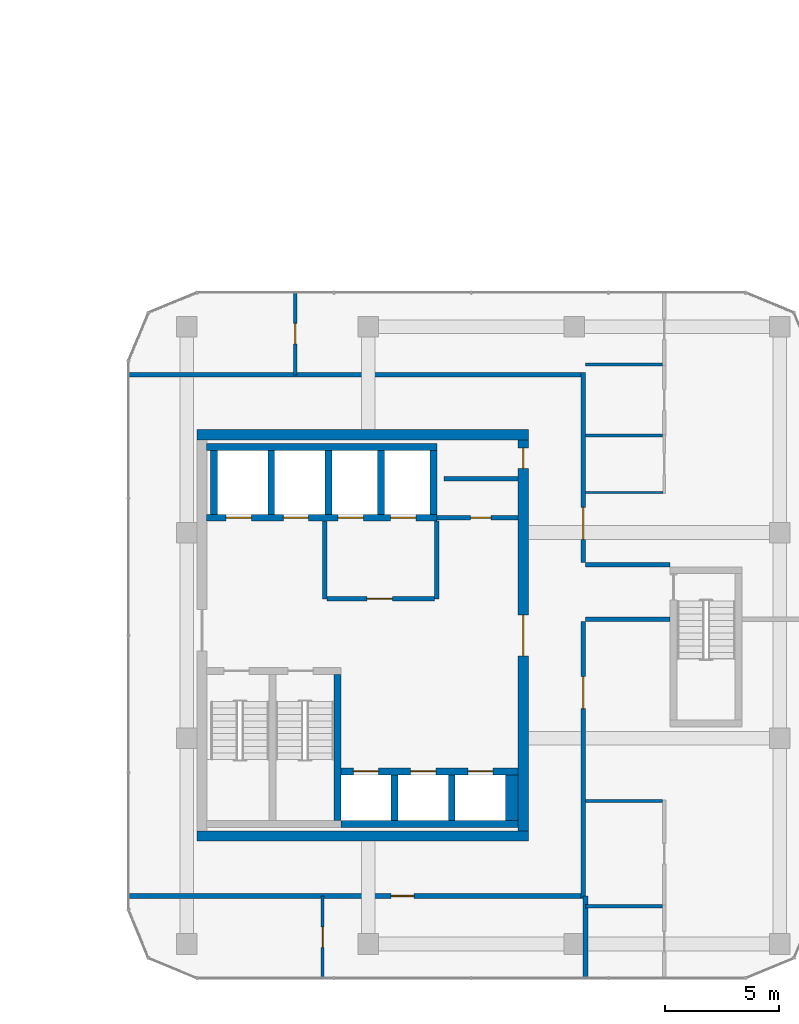
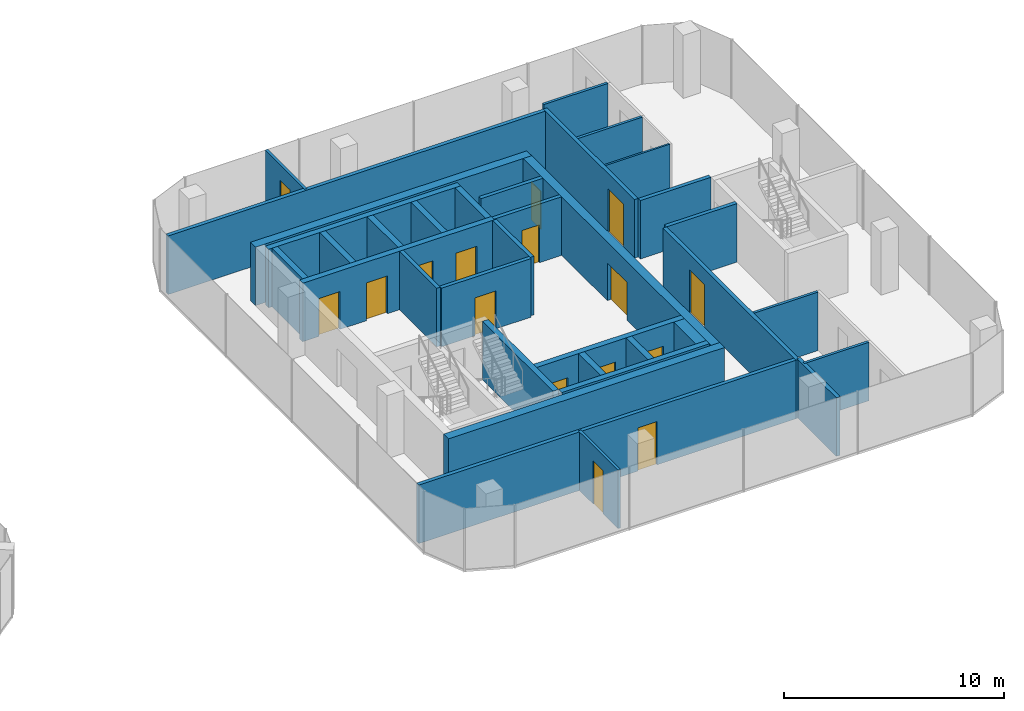
# One storey, part 18 of 23: 35 walls, 16 doors, 16 openings.
"""IFC4 building model written with IfcOpenShell, lengths in metres."""

from ifc_helpers import new_model, si_unit, direction, frame, frame_2d, origin, place, context, subcontext, project, spatial, rectangle, extrude, material, layer, layer_set, type_object, element, fill, save


model = new_model("IFC4")

# Units and contexts
model_context = context("Model", 3, precision=1e-05, world=origin(), true_north=direction((0.0, 1.0)))
body_context = subcontext(model_context, "Body", "Model", "MODEL_VIEW")
ifc_project = project(units=[si_unit("LENGTHUNIT", "METRE"), si_unit("AREAUNIT", "SQUARE_METRE"), si_unit("VOLUMEUNIT", "CUBIC_METRE"), si_unit("PLANEANGLEUNIT", "RADIAN"), si_unit("MASSUNIT", "GRAM", prefix="KILO")], contexts=[model_context])

# Site, building, storey
site_placement = place(None, origin())
site = spatial("IfcSite", under=ifc_project, at=site_placement, CompositionType="ELEMENT")
building_placement = place(site_placement, origin())
building = spatial("IfcBuilding", under=site, at=building_placement, Name="Plateau Cross Towers", CompositionType="ELEMENT")
storey_placement = place(building_placement, frame((0.0, 0.0, 88.800048828125)))
storey = spatial("IfcBuildingStorey", under=building, at=storey_placement, Name="L22", CompositionType="ELEMENT", Elevation=88.800048828125)

# Wall
ifc_material_1 = material(Name="Concrete block, plastered both sides", Category="concrete")
ifc_layer_1 = layer(ifc_material_1, 0.199951171875)
ifc_layer_set_1 = layer_set([ifc_layer_1], Name="Concrete block, plastered both sides")
wall_type_1 = type_object("IfcWallType", Name="Core partition 200", PredefinedType="PARTITIONING", material=ifc_layer_set_1)
wall_1_placement = place(storey_placement, frame((80.60009765625, 10.60009765625, 0.0), z_axis=(0.0, 0.0, 1.0), x_axis=(0.0, 1.0, 0.0)))
element("IfcWall", 1, at=wall_1_placement, inside=storey, type_object=wall_type_1, Name="Core partition", PredefinedType="PARTITIONING", context=body_context, shape_type="SweptSolid", body=[
    extrude(rectangle(XDim=3.39990234375, YDim=0.199951171875, at=frame_2d((1.699951171875, 0.0))), origin(), (0.0, 0.0, 1.0), 3.25),
])

# Wall, opening, door
wall_2_placement = place(storey_placement, frame((80.699951171875, 10.60009765625, 0.0), z_axis=(0.0, 0.0, 1.0), x_axis=(1.0, 0.0, 0.0)))
wall_2 = element("IfcWall", 2, at=wall_2_placement, inside=storey, type_object=wall_type_1, Name="Core partition", PredefinedType="PARTITIONING", context=body_context, shape_type="SweptSolid", body=[
    extrude(rectangle(XDim=4.699951171875, YDim=0.199951171875, at=frame_2d((2.35009765625, 0.0))), origin(), (0.0, 0.0, 1.0), 3.25),
])
opening_1_placement = place(wall_2_placement, frame((1.75, 0.0, 0.0)))
opening_1 = element("IfcOpeningElement", 3, at=opening_1_placement, cuts=wall_2, Name="Opening FFD", PredefinedType="OPENING", context=body_context, shape_type="SweptSolid", body=[
    extrude(rectangle(XDim=1.10009765625, YDim=2.10009765625, at=frame_2d((0.550048828125, 1.050048828125))), frame((0.0, 0.10986328125, 0.0), z_axis=(0.0, -1.0, 0.0), x_axis=(1.0, 0.0, 0.0)), (0.0, 0.0, 1.0), 0.219970703125),
])
ifc_material_2 = material(Name="Steel, fire-resisting leaf", Category="steel")
door_type_1 = type_object("IfcDoorType", Name="Firefighting lobby door 1100", OperationType="NOTDEFINED", PredefinedType="DOOR", material=ifc_material_2)
door_1_placement = place(opening_1_placement, origin())
door_1 = element("IfcDoor", 4, at=door_1_placement, inside=storey, type_object=door_type_1, Name="Firefighting lobby door FFD", OperationType="SINGLE_SWING_LEFT", OverallHeight=2.10009765625, OverallWidth=1.10009765625, PredefinedType="DOOR", context=body_context, shape_type="SweptSolid", body=[
    extrude(rectangle(XDim=1.10009765625, YDim=2.10009765625, at=frame_2d((0.550048828125, 1.050048828125))), frame((0.0, 0.02490234375, 0.0), z_axis=(0.0, -1.0, 0.0), x_axis=(1.0, 0.0, 0.0)), (0.0, 0.0, 1.0), 0.050048828125),
])
fill(opening_1, door_1)

# Wall
wall_3_placement = place(storey_placement, frame((85.5, 10.60009765625, 0.0), z_axis=(0.0, 0.0, 1.0), x_axis=(0.0, 1.0, 0.0)))
element("IfcWall", 5, at=wall_3_placement, inside=storey, type_object=wall_type_1, Name="Core partition", PredefinedType="PARTITIONING", context=body_context, shape_type="SweptSolid", body=[
    extrude(rectangle(XDim=3.39990234375, YDim=0.199951171875, at=frame_2d((1.699951171875, 0.0))), origin(), (0.0, 0.0, 1.0), 3.25),
])

# Wall, opening, door
wall_4_placement = place(storey_placement, frame((85.5, 14.14990234375, 0.0), z_axis=(0.0, 0.0, 1.0), x_axis=(1.0, 0.0, 0.0)))
wall_4 = element("IfcWall", 6, at=wall_4_placement, inside=storey, type_object=wall_type_1, Name="Core partition", PredefinedType="PARTITIONING", context=body_context, shape_type="SweptSolid", body=[
    extrude(rectangle(XDim=3.550048828125, YDim=0.199951171875, at=frame_2d((1.77490234375, 0.0))), origin(), (0.0, 0.0, 1.0), 3.25),
])
opening_2_placement = place(wall_4_placement, frame((1.47509765625, 0.0, 0.0)))
opening_2 = element("IfcOpeningElement", 7, at=opening_2_placement, cuts=wall_4, Name="Opening RD2", PredefinedType="OPENING", context=body_context, shape_type="SweptSolid", body=[
    extrude(rectangle(XDim=0.89990234375, YDim=2.10009765625, at=frame_2d((0.449951171875, 1.050048828125))), frame((0.0, 0.10986328125, 0.0), z_axis=(0.0, -1.0, 0.0), x_axis=(1.0, 0.0, 0.0)), (0.0, 0.0, 1.0), 0.219970703125),
])
door_type_2 = type_object("IfcDoorType", Name="Core riser door 900", OperationType="NOTDEFINED", PredefinedType="DOOR", material=ifc_material_2)
door_2_placement = place(opening_2_placement, origin())
door_2 = element("IfcDoor", 8, at=door_2_placement, inside=storey, type_object=door_type_2, Name="Core riser door RD2", OperationType="SINGLE_SWING_LEFT", OverallHeight=2.10009765625, OverallWidth=0.89990234375, PredefinedType="DOOR", context=body_context, shape_type="SweptSolid", body=[
    extrude(rectangle(XDim=0.89990234375, YDim=2.10009765625, at=frame_2d((0.449951171875, 1.050048828125))), frame((0.0, 0.02490234375, 0.0), z_axis=(0.0, -1.0, 0.0), x_axis=(1.0, 0.0, 0.0)), (0.0, 0.0, 1.0), 0.050048828125),
])
fill(opening_2, door_2)

# Walls
wall_5_placement = place(storey_placement, frame((85.800048828125, 15.85009765625, 0.0), z_axis=(0.0, 0.0, 1.0), x_axis=(1.0, 0.0, 0.0)))
element("IfcWall", 9, at=wall_5_placement, inside=storey, type_object=wall_type_1, Name="Core partition", PredefinedType="PARTITIONING", context=body_context, shape_type="SweptSolid", body=[
    extrude(rectangle(XDim=3.25, YDim=0.199951171875, at=frame_2d((1.625, 0.0))), origin(), (0.0, 0.0, 1.0), 3.25),
])
ifc_material_3 = material(Name="Concrete C60/75", Category="concrete")
ifc_layer_2 = layer(ifc_material_3, 0.300048828125)
ifc_layer_set_2 = layer_set([ifc_layer_2], Name="Concrete C60/75")
wall_type_2 = type_object("IfcWallType", Name="Core shaft wall 300", PredefinedType="SHEAR", material=ifc_layer_set_2)
wall_6_placement = place(storey_placement, frame((81.14990234375, 0.89990234375, 0.0), z_axis=(0.0, 0.0, 1.0), x_axis=(0.0, 1.0, 0.0)))
element("IfcWall", 10, at=wall_6_placement, inside=storey, type_object=wall_type_2, Name="B-sb-st2@L22", PredefinedType="SHEAR", context=body_context, shape_type="SweptSolid", body=[
    extrude(rectangle(XDim=6.400146484375, YDim=0.300048828125, at=frame_2d((3.2001953125, 0.0))), origin(), (0.0, 0.0, 1.0), 3.25),
])
wall_7_placement = place(storey_placement, frame((81.300048828125, 0.75, 0.0), z_axis=(0.0, 0.0, 1.0), x_axis=(1.0, 0.0, 0.0)))
element("IfcWall", 11, at=wall_7_placement, inside=storey, type_object=wall_type_2, Name="B-sb-back@L22", PredefinedType="SHEAR", context=body_context, shape_type="SweptSolid", body=[
    extrude(rectangle(XDim=7.75, YDim=0.300048828125, at=frame_2d((3.875, 0.0))), origin(), (0.0, 0.0, 1.0), 3.25),
])
for number, where, z_axis, x_axis, name in (
    (12, (83.64990234375, 0.89990234375, 0.0), (0.0, 0.0, 1.0), (0.0, 1.0, 0.0), "B-sb-v1@L22"),
    (13, (86.14990234375, 0.89990234375, 0.0), (0.0, 0.0, 1.0), (0.0, 1.0, 0.0), "B-sb-v2@L22"),
):
    element("IfcWall", number, at=place(storey_placement, frame(where, z_axis=z_axis, x_axis=x_axis)), inside=storey, type_object=wall_type_2, Name=name, PredefinedType="SHEAR", context=body_context, shape_type="SweptSolid", body=[
        extrude(rectangle(XDim=2.0, YDim=0.300048828125, at=frame_2d((1.0, 0.0))), origin(), (0.0, 0.0, 1.0), 3.25),
    ])

# Wall, openings, doors
wall_8_placement = place(storey_placement, frame((81.300048828125, 3.050048828125, 0.0), z_axis=(0.0, 0.0, 1.0), x_axis=(1.0, 0.0, 0.0)))
wall_8 = element("IfcWall", 14, at=wall_8_placement, inside=storey, type_object=wall_type_2, Name="B-sb-front@L22", PredefinedType="SHEAR", context=body_context, shape_type="SweptSolid", body=[
    extrude(rectangle(XDim=7.75, YDim=0.300048828125, at=frame_2d((3.875, 0.0))), origin(), (0.0, 0.0, 1.0), 3.25),
])
opening_3_placement = place(wall_8_placement, frame((0.550048828125, 0.0, 0.0)))
opening_3 = element("IfcOpeningElement", 15, at=opening_3_placement, cuts=wall_8, Name="Opening LD", PredefinedType="OPENING", context=body_context, shape_type="SweptSolid", body=[
    extrude(rectangle(XDim=1.10009765625, YDim=2.10009765625, at=frame_2d((0.550048828125, 1.050048828125))), frame((0.0, 0.159912109375, 0.0), z_axis=(0.0, -1.0, 0.0), x_axis=(1.0, 0.0, 0.0)), (0.0, 0.0, 1.0), 0.320068359375),
])
opening_4_placement = place(wall_8_placement, frame((3.050048828125, 0.0, 0.0)))
opening_4 = element("IfcOpeningElement", 16, at=opening_4_placement, cuts=wall_8, Name="Opening LD", PredefinedType="OPENING", context=body_context, shape_type="SweptSolid", body=[
    extrude(rectangle(XDim=1.10009765625, YDim=2.10009765625, at=frame_2d((0.550048828125, 1.050048828125))), frame((0.0, 0.159912109375, 0.0), z_axis=(0.0, -1.0, 0.0), x_axis=(1.0, 0.0, 0.0)), (0.0, 0.0, 1.0), 0.320068359375),
])
opening_5_placement = place(wall_8_placement, frame((5.550048828125, 0.0, 0.0)))
opening_5 = element("IfcOpeningElement", 17, at=opening_5_placement, cuts=wall_8, Name="Opening LD", PredefinedType="OPENING", context=body_context, shape_type="SweptSolid", body=[
    extrude(rectangle(XDim=1.10009765625, YDim=2.10009765625, at=frame_2d((0.550048828125, 1.050048828125))), frame((0.0, 0.159912109375, 0.0), z_axis=(0.0, -1.0, 0.0), x_axis=(1.0, 0.0, 0.0)), (0.0, 0.0, 1.0), 0.320068359375),
])
ifc_material_4 = material(Name="Stainless steel, fire-resisting sliding leaves", Category="steel")
door_type_3 = type_object("IfcDoorType", Name="Lift landing door 1100", OperationType="NOTDEFINED", PredefinedType="DOOR", material=ifc_material_4)
door_3_placement = place(opening_3_placement, origin())
door_3 = element("IfcDoor", 18, at=door_3_placement, inside=storey, type_object=door_type_3, Name="Lift landing door LD", OperationType="DOUBLE_DOOR_SLIDING", OverallHeight=2.10009765625, OverallWidth=1.10009765625, PredefinedType="DOOR", context=body_context, shape_type="SweptSolid", body=[
    extrude(rectangle(XDim=1.10009765625, YDim=2.10009765625, at=frame_2d((0.550048828125, 1.050048828125))), frame((0.0, 0.02490234375, 0.0), z_axis=(0.0, -1.0, 0.0), x_axis=(1.0, 0.0, 0.0)), (0.0, 0.0, 1.0), 0.050048828125),
])
fill(opening_3, door_3)
door_4_placement = place(opening_4_placement, origin())
door_4 = element("IfcDoor", 19, at=door_4_placement, inside=storey, type_object=door_type_3, Name="Lift landing door LD", OperationType="DOUBLE_DOOR_SLIDING", OverallHeight=2.10009765625, OverallWidth=1.10009765625, PredefinedType="DOOR", context=body_context, shape_type="SweptSolid", body=[
    extrude(rectangle(XDim=1.10009765625, YDim=2.10009765625, at=frame_2d((0.550048828125, 1.050048828125))), frame((0.0, 0.02490234375, 0.0), z_axis=(0.0, -1.0, 0.0), x_axis=(1.0, 0.0, 0.0)), (0.0, 0.0, 1.0), 0.050048828125),
])
fill(opening_4, door_4)
door_5_placement = place(opening_5_placement, origin())
door_5 = element("IfcDoor", 20, at=door_5_placement, inside=storey, type_object=door_type_3, Name="Lift landing door LD", OperationType="DOUBLE_DOOR_SLIDING", OverallHeight=2.10009765625, OverallWidth=1.10009765625, PredefinedType="DOOR", context=body_context, shape_type="SweptSolid", body=[
    extrude(rectangle(XDim=1.10009765625, YDim=2.10009765625, at=frame_2d((0.550048828125, 1.050048828125))), frame((0.0, 0.02490234375, 0.0), z_axis=(0.0, -1.0, 0.0), x_axis=(1.0, 0.0, 0.0)), (0.0, 0.0, 1.0), 0.050048828125),
])
fill(opening_5, door_5)

# Wall
wall_9_placement = place(storey_placement, frame((75.429931640625, 17.25, 0.0), z_axis=(0.0, 0.0, 1.0), x_axis=(1.0, 0.0, 0.0)))
element("IfcWall", 21, at=wall_9_placement, inside=storey, type_object=wall_type_2, Name="B-nb-back@L22", PredefinedType="SHEAR", context=body_context, shape_type="SweptSolid", body=[
    extrude(rectangle(XDim=10.070068359375, YDim=0.300048828125, at=frame_2d((5.03515625, 0.0))), origin(), (0.0, 0.0, 1.0), 3.25),
])

# Wall, openings, doors
wall_10_placement = place(storey_placement, frame((75.429931640625, 14.14990234375, 0.0), z_axis=(0.0, 0.0, 1.0), x_axis=(1.0, 0.0, 0.0)))
wall_10 = element("IfcWall", 22, at=wall_10_placement, inside=storey, type_object=wall_type_2, Name="B-nb-front@L22", PredefinedType="SHEAR", context=body_context, shape_type="SweptSolid", body=[
    extrude(rectangle(XDim=10.070068359375, YDim=0.300048828125, at=frame_2d((5.03515625, 0.0))), origin(), (0.0, 0.0, 1.0), 3.25),
])
opening_6_placement = place(wall_10_placement, frame((0.85009765625, 0.0, 0.0)))
opening_6 = element("IfcOpeningElement", 23, at=opening_6_placement, cuts=wall_10, Name="Opening LD", PredefinedType="OPENING", context=body_context, shape_type="SweptSolid", body=[
    extrude(rectangle(XDim=1.10009765625, YDim=2.10009765625, at=frame_2d((0.550048828125, 1.050048828125))), frame((0.0, 0.159912109375, 0.0), z_axis=(0.0, -1.0, 0.0), x_axis=(1.0, 0.0, 0.0)), (0.0, 0.0, 1.0), 0.320068359375),
])
opening_7_placement = place(wall_10_placement, frame((3.35009765625, 0.0, 0.0)))
opening_7 = element("IfcOpeningElement", 24, at=opening_7_placement, cuts=wall_10, Name="Opening LD", PredefinedType="OPENING", context=body_context, shape_type="SweptSolid", body=[
    extrude(rectangle(XDim=1.10009765625, YDim=2.10009765625, at=frame_2d((0.550048828125, 1.050048828125))), frame((0.0, 0.159912109375, 0.0), z_axis=(0.0, -1.0, 0.0), x_axis=(1.0, 0.0, 0.0)), (0.0, 0.0, 1.0), 0.320068359375),
])
opening_8_placement = place(wall_10_placement, frame((5.75, 0.0, 0.0)))
opening_8 = element("IfcOpeningElement", 25, at=opening_8_placement, cuts=wall_10, Name="Opening LD", PredefinedType="OPENING", context=body_context, shape_type="SweptSolid", body=[
    extrude(rectangle(XDim=1.10009765625, YDim=2.10009765625, at=frame_2d((0.550048828125, 1.050048828125))), frame((0.0, 0.159912109375, 0.0), z_axis=(0.0, -1.0, 0.0), x_axis=(1.0, 0.0, 0.0)), (0.0, 0.0, 1.0), 0.320068359375),
])
opening_9_placement = place(wall_10_placement, frame((8.050048828125, 0.0, 0.0)))
opening_9 = element("IfcOpeningElement", 26, at=opening_9_placement, cuts=wall_10, Name="Opening LD", PredefinedType="OPENING", context=body_context, shape_type="SweptSolid", body=[
    extrude(rectangle(XDim=1.10009765625, YDim=2.10009765625, at=frame_2d((0.550048828125, 1.050048828125))), frame((0.0, 0.159912109375, 0.0), z_axis=(0.0, -1.0, 0.0), x_axis=(1.0, 0.0, 0.0)), (0.0, 0.0, 1.0), 0.320068359375),
])
door_6_placement = place(opening_6_placement, origin())
door_6 = element("IfcDoor", 27, at=door_6_placement, inside=storey, type_object=door_type_3, Name="Lift landing door LD", OperationType="DOUBLE_DOOR_SLIDING", OverallHeight=2.10009765625, OverallWidth=1.10009765625, PredefinedType="DOOR", context=body_context, shape_type="SweptSolid", body=[
    extrude(rectangle(XDim=1.10009765625, YDim=2.10009765625, at=frame_2d((0.550048828125, 1.050048828125))), frame((0.0, 0.02490234375, 0.0), z_axis=(0.0, -1.0, 0.0), x_axis=(1.0, 0.0, 0.0)), (0.0, 0.0, 1.0), 0.050048828125),
])
fill(opening_6, door_6)
door_7_placement = place(opening_7_placement, origin())
door_7 = element("IfcDoor", 28, at=door_7_placement, inside=storey, type_object=door_type_3, Name="Lift landing door LD", OperationType="DOUBLE_DOOR_SLIDING", OverallHeight=2.10009765625, OverallWidth=1.10009765625, PredefinedType="DOOR", context=body_context, shape_type="SweptSolid", body=[
    extrude(rectangle(XDim=1.10009765625, YDim=2.10009765625, at=frame_2d((0.550048828125, 1.050048828125))), frame((0.0, 0.02490234375, 0.0), z_axis=(0.0, -1.0, 0.0), x_axis=(1.0, 0.0, 0.0)), (0.0, 0.0, 1.0), 0.050048828125),
])
fill(opening_7, door_7)
door_8_placement = place(opening_8_placement, origin())
door_8 = element("IfcDoor", 29, at=door_8_placement, inside=storey, type_object=door_type_3, Name="Lift landing door LD", OperationType="DOUBLE_DOOR_SLIDING", OverallHeight=2.10009765625, OverallWidth=1.10009765625, PredefinedType="DOOR", context=body_context, shape_type="SweptSolid", body=[
    extrude(rectangle(XDim=1.10009765625, YDim=2.10009765625, at=frame_2d((0.550048828125, 1.050048828125))), frame((0.0, 0.02490234375, 0.0), z_axis=(0.0, -1.0, 0.0), x_axis=(1.0, 0.0, 0.0)), (0.0, 0.0, 1.0), 0.050048828125),
])
fill(opening_8, door_8)
door_9_placement = place(opening_9_placement, origin())
door_9 = element("IfcDoor", 30, at=door_9_placement, inside=storey, type_object=door_type_3, Name="Lift landing door LD", OperationType="DOUBLE_DOOR_SLIDING", OverallHeight=2.10009765625, OverallWidth=1.10009765625, PredefinedType="DOOR", context=body_context, shape_type="SweptSolid", body=[
    extrude(rectangle(XDim=1.10009765625, YDim=2.10009765625, at=frame_2d((0.550048828125, 1.050048828125))), frame((0.0, 0.02490234375, 0.0), z_axis=(0.0, -1.0, 0.0), x_axis=(1.0, 0.0, 0.0)), (0.0, 0.0, 1.0), 0.050048828125),
])
fill(opening_9, door_9)

# Walls
for number, where, z_axis, x_axis, name in (
    (31, (75.75, 14.300048828125, 0.0), (0.0, 0.0, 1.0), (0.0, 1.0, 0.0), "B-nb-v0@L22"),
    (32, (78.25, 14.300048828125, 0.0), (0.0, 0.0, 1.0), (0.0, 1.0, 0.0), "B-nb-v1@L22"),
    (33, (80.75, 14.300048828125, 0.0), (0.0, 0.0, 1.0), (0.0, 1.0, 0.0), "B-nb-v2@L22"),
    (34, (83.050048828125, 14.300048828125, 0.0), (0.0, 0.0, 1.0), (0.0, 1.0, 0.0), "B-nb-v3@L22"),
    (35, (85.35009765625, 14.300048828125, 0.0), (0.0, 0.0, 1.0), (0.0, 1.0, 0.0), "B-nb-v4@L22"),
):
    element("IfcWall", number, at=place(storey_placement, frame(where, z_axis=z_axis, x_axis=x_axis)), inside=storey, type_object=wall_type_2, Name=name, PredefinedType="SHEAR", context=body_context, shape_type="SweptSolid", body=[
        extrude(rectangle(XDim=2.800048828125, YDim=0.300048828125, at=frame_2d((1.39990234375, 0.0))), origin(), (0.0, 0.0, 1.0), 3.25),
    ])
ifc_layer_3 = layer(ifc_material_3, 0.550048828125)
ifc_layer_set_3 = layer_set([ifc_layer_3], Name="Concrete C60/75")
wall_type_3 = type_object("IfcWallType", Name="Core shaft wall 550", PredefinedType="SHEAR", material=ifc_layer_set_3)
wall_11_placement = place(storey_placement, frame((88.77490234375, 0.89990234375, 0.0), z_axis=(0.0, 0.0, 1.0), x_axis=(0.0, 1.0, 0.0)))
element("IfcWall", 36, at=wall_11_placement, inside=storey, type_object=wall_type_3, Name="B-sb-v3@L22", PredefinedType="SHEAR", context=body_context, shape_type="SweptSolid", body=[
    extrude(rectangle(XDim=2.0, YDim=0.550048828125, at=frame_2d((1.0, 0.0))), origin(), (0.0, 0.0, 1.0), 3.25),
])
ifc_layer_4 = layer(ifc_material_3, 0.449951171875)
ifc_layer_set_4 = layer_set([ifc_layer_4], Name="Concrete C60/75")
wall_type_4 = type_object("IfcWallType", Name="Core shell wall 450", PredefinedType="SHEAR", material=ifc_layer_set_4)
for number, where, z_axis, x_axis, name in (
    (37, (75.0, 0.22509765625, 0.0), (0.0, 0.0, 1.0), (1.0, 0.0, 0.0), "B-core-S@L22"),
    (38, (75.0, 17.77490234375, 0.0), (0.0, 0.0, 1.0), (1.0, 0.0, 0.0), "B-core-N@L22"),
):
    element("IfcWall", number, at=place(storey_placement, frame(where, z_axis=z_axis, x_axis=x_axis)), inside=storey, type_object=wall_type_4, Name=name, PredefinedType="SHEAR", context=body_context, shape_type="SweptSolid", body=[
        extrude(rectangle(XDim=14.5, YDim=0.449951171875, at=frame_2d((7.25, 0.0))), origin(), (0.0, 0.0, 1.0), 3.25),
    ])

# Wall, openings, doors
wall_12_placement = place(storey_placement, frame((89.27490234375, 0.449951171875, 0.0), z_axis=(0.0, 0.0, 1.0), x_axis=(0.0, 1.0, 0.0)))
wall_12 = element("IfcWall", 39, at=wall_12_placement, inside=storey, type_object=wall_type_4, Name="B-core-E@L22", PredefinedType="SHEAR", context=body_context, shape_type="SweptSolid", body=[
    extrude(rectangle(XDim=17.10009765625, YDim=0.449951171875, at=frame_2d((8.550048828125, 0.0))), origin(), (0.0, 0.0, 1.0), 3.25),
])
opening_10_placement = place(wall_12_placement, frame((7.64990234375, 0.0, 0.0)))
opening_10 = element("IfcOpeningElement", 40, at=opening_10_placement, cuts=wall_12, Name="Opening CD", PredefinedType="OPENING", context=body_context, shape_type="SweptSolid", body=[
    extrude(rectangle(XDim=1.800048828125, YDim=2.10009765625, at=frame_2d((0.89990234375, 1.050048828125))), frame((0.0, 0.23486328125, 0.0), z_axis=(0.0, -1.0, 0.0), x_axis=(1.0, 0.0, 0.0)), (0.0, 0.0, 1.0), 0.469970703125),
])
opening_11_placement = place(wall_12_placement, frame((15.85009765625, 0.0, 0.0)))
opening_11 = element("IfcOpeningElement", 41, at=opening_11_placement, cuts=wall_12, Name="Opening RD2", PredefinedType="OPENING", context=body_context, shape_type="SweptSolid", body=[
    extrude(rectangle(XDim=0.89990234375, YDim=2.10009765625, at=frame_2d((0.449951171875, 1.050048828125))), frame((0.0, 0.23486328125, 0.0), z_axis=(0.0, -1.0, 0.0), x_axis=(1.0, 0.0, 0.0)), (0.0, 0.0, 1.0), 0.469970703125),
])
door_10_placement = place(opening_11_placement, origin())
door_10 = element("IfcDoor", 42, at=door_10_placement, inside=storey, type_object=door_type_2, Name="Core riser door RD2", OperationType="SINGLE_SWING_LEFT", OverallHeight=2.10009765625, OverallWidth=0.89990234375, PredefinedType="DOOR", context=body_context, shape_type="SweptSolid", body=[
    extrude(rectangle(XDim=0.89990234375, YDim=2.10009765625, at=frame_2d((0.449951171875, 1.050048828125))), frame((0.0, 0.02490234375, 0.0), z_axis=(0.0, -1.0, 0.0), x_axis=(1.0, 0.0, 0.0)), (0.0, 0.0, 1.0), 0.050048828125),
])
fill(opening_11, door_10)
ifc_material_5 = material(Name="Steel, fire-resisting leaves", Category="steel")
door_type_4 = type_object("IfcDoorType", Name="Corridor door pair 1800", OperationType="NOTDEFINED", PredefinedType="DOOR", material=ifc_material_5)
door_11_placement = place(opening_10_placement, origin())
door_11 = element("IfcDoor", 43, at=door_11_placement, inside=storey, type_object=door_type_4, Name="Corridor door pair CD", OperationType="DOUBLE_DOOR_SINGLE_SWING", OverallHeight=2.10009765625, OverallWidth=1.800048828125, PredefinedType="DOOR", context=body_context, shape_type="SweptSolid", body=[
    extrude(rectangle(XDim=1.800048828125, YDim=2.10009765625, at=frame_2d((0.89990234375, 1.050048828125))), frame((0.0, 0.02490234375, 0.0), z_axis=(0.0, -1.0, 0.0), x_axis=(1.0, 0.0, 0.0)), (0.0, 0.0, 1.0), 0.050048828125),
])
fill(opening_10, door_11)

# Wall, opening, door
ifc_material_6 = material(Name="Gypsum board on steel studs, two layers each side", Category="steel")
ifc_layer_5 = layer(ifc_material_6, 0.199951171875)
ifc_layer_set_5 = layer_set([ifc_layer_5], Name="Gypsum board on steel studs, two layers each side")
wall_type_5 = type_object("IfcWallType", Name="Corridor wall 200", PredefinedType="PARTITIONING", material=ifc_layer_set_5)
wall_13_placement = place(storey_placement, frame((72.0, -2.39990234375, 0.0), z_axis=(0.0, 0.0, 1.0), x_axis=(1.0, 0.0, 0.0)))
wall_13 = element("IfcWall", 44, at=wall_13_placement, inside=storey, type_object=wall_type_5, Name="Ring wall", PredefinedType="PARTITIONING", context=body_context, shape_type="SweptSolid", body=[
    extrude(rectangle(XDim=20.0, YDim=0.199951171875, at=frame_2d((10.0, 0.0))), origin(), (0.0, 0.0, 1.0), 3.25),
])
opening_12_placement = place(wall_13_placement, frame((11.5, 0.0, 0.0)))
opening_12 = element("IfcOpeningElement", 45, at=opening_12_placement, cuts=wall_13, Name="Opening D-BO10", PredefinedType="OPENING", context=body_context, shape_type="SweptSolid", body=[
    extrude(rectangle(XDim=1.0, YDim=2.39990234375, at=frame_2d((0.5, 1.199951171875))), frame((0.0, 0.10986328125, 0.0), z_axis=(0.0, -1.0, 0.0), x_axis=(1.0, 0.0, 0.0)), (0.0, 0.0, 1.0), 0.219970703125),
])
ifc_material_7 = material(Name="Fire-resisting glazed leaf in a steel frame", Category="steel")
door_type_5 = type_object("IfcDoorType", Name="Office glazed entrance leaf 1000x2400", OperationType="NOTDEFINED", PredefinedType="DOOR", material=ifc_material_7)
door_12_placement = place(opening_12_placement, origin())
door_12 = element("IfcDoor", 46, at=door_12_placement, inside=storey, type_object=door_type_5, Name="Door D-BO10", OperationType="SINGLE_SWING_LEFT", OverallHeight=2.39990234375, OverallWidth=1.0, PredefinedType="DOOR", context=body_context, shape_type="SweptSolid", body=[
    extrude(rectangle(XDim=1.0, YDim=2.39990234375, at=frame_2d((0.5, 1.199951171875))), frame((0.0, 0.02490234375, 0.0), z_axis=(0.0, -1.0, 0.0), x_axis=(1.0, 0.0, 0.0)), (0.0, 0.0, 1.0), 0.050048828125),
])
fill(opening_12, door_12)

# Wall
wall_14_placement = place(storey_placement, frame((72.0, 20.39990234375, 0.0), z_axis=(0.0, 0.0, 1.0), x_axis=(1.0, 0.0, 0.0)))
element("IfcWall", 47, at=wall_14_placement, inside=storey, type_object=wall_type_5, Name="Ring wall", PredefinedType="PARTITIONING", context=body_context, shape_type="SweptSolid", body=[
    extrude(rectangle(XDim=20.0, YDim=0.199951171875, at=frame_2d((10.0, 0.0))), origin(), (0.0, 0.0, 1.0), 3.25),
])

# Wall, opening, door
wall_15_placement = place(storey_placement, frame((91.89990234375, -2.5, 0.0), z_axis=(0.0, 0.0, 1.0), x_axis=(0.0, 1.0, 0.0)))
wall_15 = element("IfcWall", 48, at=wall_15_placement, inside=storey, type_object=wall_type_5, Name="Ring wall", PredefinedType="PARTITIONING", context=body_context, shape_type="SweptSolid", body=[
    extrude(rectangle(XDim=12.10009765625, YDim=0.199951171875, at=frame_2d((6.050048828125, 0.0))), origin(), (0.0, 0.0, 1.0), 3.25),
])
opening_13_placement = place(wall_15_placement, frame((8.300048828125, 0.0, 0.0)))
opening_13 = element("IfcOpeningElement", 49, at=opening_13_placement, cuts=wall_15, Name="Opening D-BE14", PredefinedType="OPENING", context=body_context, shape_type="SweptSolid", body=[
    extrude(rectangle(XDim=1.39990234375, YDim=2.39990234375, at=frame_2d((0.699951171875, 1.199951171875))), frame((0.0, 0.10986328125, 0.0), z_axis=(0.0, -1.0, 0.0), x_axis=(1.0, 0.0, 0.0)), (0.0, 0.0, 1.0), 0.219970703125),
])
ifc_material_8 = material(Name="Timber, fire-resisting leaves", Category="wood")
door_type_6 = type_object("IfcDoorType", Name="Tenant entrance double-leaf 1400x2400", OperationType="NOTDEFINED", PredefinedType="DOOR", material=ifc_material_8)
door_13_placement = place(opening_13_placement, origin())
door_13 = element("IfcDoor", 50, at=door_13_placement, inside=storey, type_object=door_type_6, Name="Door D-BE14", OperationType="DOUBLE_DOOR_SINGLE_SWING", OverallHeight=2.39990234375, OverallWidth=1.39990234375, PredefinedType="DOOR", context=body_context, shape_type="SweptSolid", body=[
    extrude(rectangle(XDim=1.39990234375, YDim=2.39990234375, at=frame_2d((0.699951171875, 1.199951171875))), frame((0.0, 0.02490234375, 0.0), z_axis=(0.0, -1.0, 0.0), x_axis=(1.0, 0.0, 0.0)), (0.0, 0.0, 1.0), 0.050048828125),
])
fill(opening_13, door_13)

wall_16_placement = place(storey_placement, frame((91.89990234375, 12.199951171875, 0.0), z_axis=(0.0, 0.0, 1.0), x_axis=(0.0, 1.0, 0.0)))
wall_16 = element("IfcWall", 51, at=wall_16_placement, inside=storey, type_object=wall_type_5, Name="Ring wall", PredefinedType="PARTITIONING", context=body_context, shape_type="SweptSolid", body=[
    extrude(rectangle(XDim=8.300048828125, YDim=0.199951171875, at=frame_2d((4.14990234375, 0.0))), origin(), (0.0, 0.0, 1.0), 3.25),
])
opening_14_placement = place(wall_16_placement, frame((1.0, 0.0, 0.0)))
opening_14 = element("IfcOpeningElement", 52, at=opening_14_placement, cuts=wall_16, Name="Opening D-BE14", PredefinedType="OPENING", context=body_context, shape_type="SweptSolid", body=[
    extrude(rectangle(XDim=1.39990234375, YDim=2.39990234375, at=frame_2d((0.699951171875, 1.199951171875))), frame((0.0, 0.10986328125, 0.0), z_axis=(0.0, -1.0, 0.0), x_axis=(1.0, 0.0, 0.0)), (0.0, 0.0, 1.0), 0.219970703125),
])
door_14_placement = place(opening_14_placement, origin())
door_14 = element("IfcDoor", 53, at=door_14_placement, inside=storey, type_object=door_type_6, Name="Door D-BE14", OperationType="DOUBLE_DOOR_SINGLE_SWING", OverallHeight=2.39990234375, OverallWidth=1.39990234375, PredefinedType="DOOR", context=body_context, shape_type="SweptSolid", body=[
    extrude(rectangle(XDim=1.39990234375, YDim=2.39990234375, at=frame_2d((0.699951171875, 1.199951171875))), frame((0.0, 0.02490234375, 0.0), z_axis=(0.0, -1.0, 0.0), x_axis=(1.0, 0.0, 0.0)), (0.0, 0.0, 1.0), 0.050048828125),
])
fill(opening_14, door_14)

# Walls
for number, where, z_axis, x_axis, name in (
    (54, (92.0, 9.699951171875, 0.0), (0.0, 0.0, 1.0), (1.0, 0.0, 0.0), "Ring wall"),
    (55, (92.0, 12.10009765625, 0.0), (0.0, 0.0, 1.0), (1.0, 0.0, 0.0), "Ring wall"),
):
    element("IfcWall", number, at=place(storey_placement, frame(where, z_axis=z_axis, x_axis=x_axis)), inside=storey, type_object=wall_type_5, Name=name, PredefinedType="PARTITIONING", context=body_context, shape_type="SweptSolid", body=[
        extrude(rectangle(XDim=3.699951171875, YDim=0.199951171875, at=frame_2d((1.85009765625, 0.0))), origin(), (0.0, 0.0, 1.0), 3.25),
    ])

# Wall, opening, door
ifc_material_9 = material(Name="Gypsum board on staggered steel studs, mineral wool, two layers each side", Category="steel")
ifc_layer_6 = layer(ifc_material_9, 0.139892578125)
ifc_layer_set_6 = layer_set([ifc_layer_6], Name="Gypsum board on staggered steel studs, mineral wool, two layers each side")
wall_type_6 = type_object("IfcWallType", Name="Meeting room acoustic partition 140", PredefinedType="PARTITIONING", material=ifc_layer_set_6)
wall_17_placement = place(storey_placement, frame((80.5, -6.0, 0.0), z_axis=(0.0, 0.0, 1.0), x_axis=(0.0, 1.0, 0.0)))
wall_17 = element("IfcWall", 56, at=wall_17_placement, inside=storey, type_object=wall_type_6, Name="Acoustic wall", PredefinedType="PARTITIONING", context=body_context, shape_type="SweptSolid", body=[
    extrude(rectangle(XDim=3.60009765625, YDim=0.139892578125, at=frame_2d((1.800048828125, 0.0))), origin(), (0.0, 0.0, 1.0), 3.25),
])
opening_15_placement = place(wall_17_placement, frame((1.35009765625, 0.0, 0.0)))
opening_15 = element("IfcOpeningElement", 57, at=opening_15_placement, cuts=wall_17, Name="Opening D-BM9", PredefinedType="OPENING", context=body_context, shape_type="SweptSolid", body=[
    extrude(rectangle(XDim=0.89990234375, YDim=2.39990234375, at=frame_2d((0.449951171875, 1.199951171875))), frame((0.0, 0.079833984375, 0.0), z_axis=(0.0, -1.0, 0.0), x_axis=(1.0, 0.0, 0.0)), (0.0, 0.0, 1.0), 0.159912109375),
])
ifc_material_10 = material(Name="Timber leaf, full height", Category="wood")
door_type_7 = type_object("IfcDoorType", Name="Meeting room door 900x2400", OperationType="NOTDEFINED", PredefinedType="DOOR", material=ifc_material_10)
door_15_placement = place(opening_15_placement, origin())
door_15 = element("IfcDoor", 58, at=door_15_placement, inside=storey, type_object=door_type_7, Name="Door D-BM9", OperationType="SINGLE_SWING_LEFT", OverallHeight=2.39990234375, OverallWidth=0.89990234375, PredefinedType="DOOR", context=body_context, shape_type="SweptSolid", body=[
    extrude(rectangle(XDim=0.89990234375, YDim=2.39990234375, at=frame_2d((0.449951171875, 1.199951171875))), frame((0.0, 0.02490234375, 0.0), z_axis=(0.0, -1.0, 0.0), x_axis=(1.0, 0.0, 0.0)), (0.0, 0.0, 1.0), 0.050048828125),
])
fill(opening_15, door_15)

# Walls
for number, where, z_axis, x_axis, name in (
    (59, (92.0, -2.85009765625, 0.0), (0.0, 0.0, 1.0), (1.0, 0.0, 0.0), "Acoustic wall"),
    (60, (92.0, 1.75, 0.0), (0.0, 0.0, 1.0), (1.0, 0.0, 0.0), "Acoustic wall"),
    (61, (92.0, 20.85009765625, 0.0), (0.0, 0.0, 1.0), (1.0, 0.0, 0.0), "Acoustic wall"),
    (62, (92.0, 17.75, 0.0), (0.0, 0.0, 1.0), (1.0, 0.0, 0.0), "Acoustic wall"),
):
    element("IfcWall", number, at=place(storey_placement, frame(where, z_axis=z_axis, x_axis=x_axis)), inside=storey, type_object=wall_type_6, Name=name, PredefinedType="PARTITIONING", context=body_context, shape_type="SweptSolid", body=[
        extrude(rectangle(XDim=3.3798828125, YDim=0.139892578125, at=frame_2d((1.68994140625, 0.0))), origin(), (0.0, 0.0, 1.0), 3.25),
    ])

# Wall, opening, door
wall_18_placement = place(storey_placement, frame((79.300048828125, 20.39990234375, 0.0), z_axis=(0.0, 0.0, 1.0), x_axis=(0.0, 1.0, 0.0)))
wall_18 = element("IfcWall", 63, at=wall_18_placement, inside=storey, type_object=wall_type_6, Name="Acoustic wall", PredefinedType="PARTITIONING", context=body_context, shape_type="SweptSolid", body=[
    extrude(rectangle(XDim=3.60009765625, YDim=0.139892578125, at=frame_2d((1.800048828125, 0.0))), origin(), (0.0, 0.0, 1.0), 3.25),
])
opening_16_placement = place(wall_18_placement, frame((1.35009765625, 0.0, 0.0)))
opening_16 = element("IfcOpeningElement", 64, at=opening_16_placement, cuts=wall_18, Name="Opening D-BM9", PredefinedType="OPENING", context=body_context, shape_type="SweptSolid", body=[
    extrude(rectangle(XDim=0.89990234375, YDim=2.39990234375, at=frame_2d((0.449951171875, 1.199951171875))), frame((0.0, 0.079833984375, 0.0), z_axis=(0.0, -1.0, 0.0), x_axis=(1.0, 0.0, 0.0)), (0.0, 0.0, 1.0), 0.159912109375),
])
door_16_placement = place(opening_16_placement, origin())
door_16 = element("IfcDoor", 65, at=door_16_placement, inside=storey, type_object=door_type_7, Name="Door D-BM9", OperationType="SINGLE_SWING_LEFT", OverallHeight=2.39990234375, OverallWidth=0.89990234375, PredefinedType="DOOR", context=body_context, shape_type="SweptSolid", body=[
    extrude(rectangle(XDim=0.89990234375, YDim=2.39990234375, at=frame_2d((0.449951171875, 1.199951171875))), frame((0.0, 0.02490234375, 0.0), z_axis=(0.0, -1.0, 0.0), x_axis=(1.0, 0.0, 0.0)), (0.0, 0.0, 1.0), 0.050048828125),
])
fill(opening_16, door_16)

# Walls
ifc_material_11 = material(Name="Gypsum board on steel studs", Category="steel")
ifc_layer_7 = layer(ifc_material_11, 0.10009765625)
ifc_layer_set_7 = layer_set([ifc_layer_7], Name="Gypsum board on steel studs")
wall_type_7 = type_object("IfcWallType", Name="Office partition 100", PredefinedType="PARTITIONING", material=ifc_layer_set_7)
wall_19_placement = place(storey_placement, frame((92.0, 15.25, 0.0), z_axis=(0.0, 0.0, 1.0), x_axis=(1.0, 0.0, 0.0)))
element("IfcWall", 66, at=wall_19_placement, inside=storey, type_object=wall_type_7, Name="Part wall", PredefinedType="PARTITIONING", context=body_context, shape_type="SweptSolid", body=[
    extrude(rectangle(XDim=3.39990234375, YDim=0.10009765625, at=frame_2d((1.699951171875, 0.0))), origin(), (0.0, 0.0, 1.0), 3.25),
])
ifc_layer_8 = layer(ifc_material_6, 0.199951171875)
ifc_layer_set_8 = layer_set([ifc_layer_8], Name="Gypsum board on steel studs, two layers each side")
wall_type_8 = type_object("IfcWallType", Name="Tenancy demising wall 200", PredefinedType="PARTITIONING", material=ifc_layer_set_8)
wall_20_placement = place(storey_placement, frame((92.0, -6.0, 0.0), z_axis=(0.0, 0.0, 1.0), x_axis=(0.0, 1.0, 0.0)))
element("IfcWall", 67, at=wall_20_placement, inside=storey, type_object=wall_type_8, Name="Demising wall", PredefinedType="PARTITIONING", context=body_context, shape_type="SweptSolid", body=[
    extrude(rectangle(XDim=3.60009765625, YDim=0.199951171875, at=frame_2d((1.800048828125, 0.0))), origin(), (0.0, 0.0, 1.0), 3.25),
])

save(model, "model.ifc")
